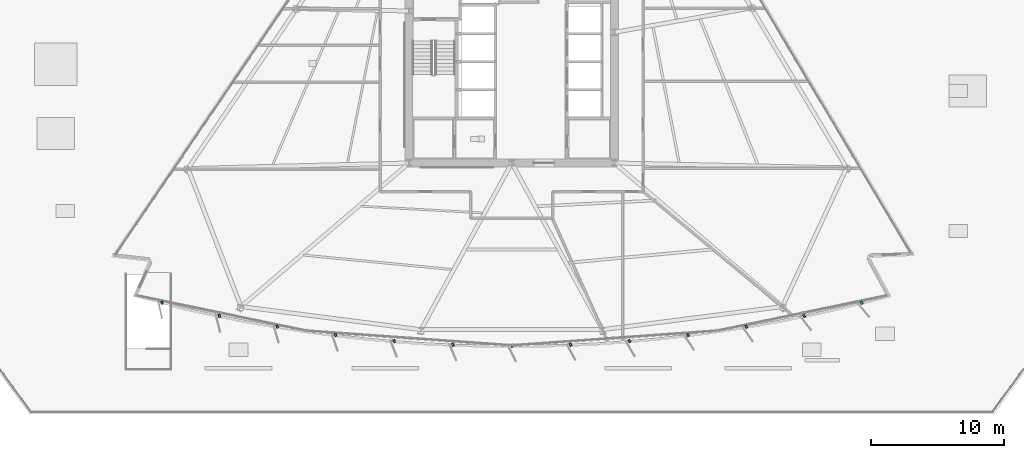
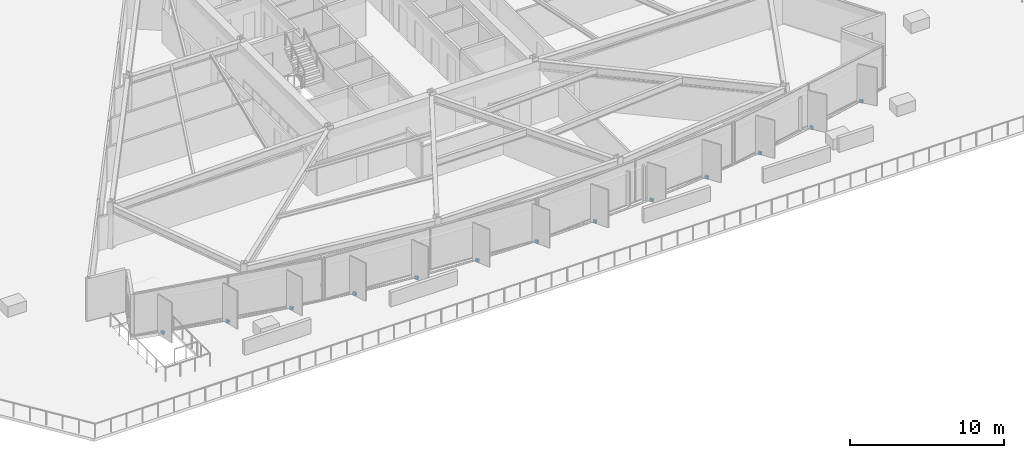
# One storey, part 12 of 19: 13 discrete accessories.
"""IFC4 building model written with IfcOpenShell, lengths in metres."""

from ifc_helpers import new_model, si_unit, direction, frame, origin, origin_2d, place, context, subcontext, project, spatial, rectangle, extrude, material, type_object, element, save


model = new_model("IFC4")

# Units and contexts
model_context = context("Model", 3, precision=1e-05, world=origin(), true_north=direction((0.0, 1.0)))
body_context = subcontext(model_context, "Body", "Model", "MODEL_VIEW")
ifc_project = project(units=[si_unit("LENGTHUNIT", "METRE"), si_unit("AREAUNIT", "SQUARE_METRE"), si_unit("VOLUMEUNIT", "CUBIC_METRE"), si_unit("PLANEANGLEUNIT", "RADIAN"), si_unit("MASSUNIT", "GRAM", prefix="KILO")], contexts=[model_context])

# Site, building, storey
site_placement = place(None, origin())
site = spatial("IfcSite", under=ifc_project, at=site_placement, CompositionType="ELEMENT")
building_placement = place(site_placement, origin())
building = spatial("IfcBuilding", under=site, at=building_placement, Name="Savorim Split Tower", CompositionType="ELEMENT")
storey_placement = place(building_placement, frame((0.0, 0.0, 26.39990234375)))
storey = spatial("IfcBuildingStorey", under=building, at=storey_placement, Name="L06", CompositionType="ELEMENT", Elevation=26.39990234375)

# Discrete accessories
ifc_material = material(Name="Steel S355", Category="steel")
discrete_accessory_type = type_object("IfcDiscreteAccessoryType", Name="ACC-BRK-FIN", PredefinedType="BRACKET", material=ifc_material)
for number, where, z_axis, x_axis, name in (
    (1, (-26.241943359375, -19.881591796875, -0.18994140625), (0.0, 0.0, 1.0), (0.206721626106, -0.978399800337, 0.0), "L06 Fin Slab-Edge Cleat Bracket 01"),
    (2, (-21.935791015625, -20.86767578125, -0.18994140625), (0.0, 0.0, 1.0), (0.246581250663, -0.969122121727, 0.0), "L06 Fin Slab-Edge Cleat Bracket 02"),
    (3, (-17.593017578125, -21.6767578125, -0.18994140625), (0.0, 0.0, 1.0), (0.286026212504, -0.958221793616, 0.0), "L06 Fin Slab-Edge Cleat Bracket 03"),
    (4, (-13.220458984375, -22.307373046875, -0.18994140625), (0.0, 0.0, 1.0), (0.324993810493, -0.945716143005, 0.0), "L06 Fin Slab-Edge Cleat Bracket 04"),
    (5, (-8.825927734375, -22.758544921875, -0.18994140625), (0.0, 0.0, 1.0), (0.363415461732, -0.931627179817, 0.0), "L06 Fin Slab-Edge Cleat Bracket 05"),
    (6, (-4.416748046875, -23.029541015625, -0.18994140625), (0.0, 0.0, 1.0), (0.401230091723, -0.915977299662, 0.0), "L06 Fin Slab-Edge Cleat Bracket 06"),
    (7, (0.0, -23.1201171875, -0.18994140625), (0.0, 0.0, 1.0), (0.438371146789, -0.898794046299, 0.0), "L06 Fin Slab-Edge Cleat Bracket 07"),
    (8, (4.416748046875, -23.029541015625, -0.18994140625), (0.0, 0.0, 1.0), (0.474778051978, -0.880105562623, 0.0), "L06 Fin Slab-Edge Cleat Bracket 08"),
    (9, (8.825927734375, -22.758544921875, -0.18994140625), (0.0, 0.0, 1.0), (0.510391336723, -0.859942255851, 0.0), "L06 Fin Slab-Edge Cleat Bracket 09"),
    (10, (13.220458984375, -22.307373046875, -0.18994140625), (0.0, 0.0, 1.0), (0.545148321708, -0.838339613366, 0.0), "L06 Fin Slab-Edge Cleat Bracket 10"),
    (11, (17.593017578125, -21.6767578125, -0.18994140625), (0.0, 0.0, 1.0), (0.578993757737, -0.815331974414, 0.0), "L06 Fin Slab-Edge Cleat Bracket 11"),
    (12, (21.935791015625, -20.86767578125, -0.18994140625), (0.0, 0.0, 1.0), (0.611868076908, -0.790959832394, 0.0), "L06 Fin Slab-Edge Cleat Bracket 12"),
    (13, (26.241943359375, -19.881591796875, -0.18994140625), (0.0, 0.0, 1.0), (0.643719022682, -0.765261928909, 0.0), "L06 Fin Slab-Edge Cleat Bracket 13"),
):
    element("IfcDiscreteAccessory", number, at=place(storey_placement, frame(where, z_axis=z_axis, x_axis=x_axis)), inside=storey, type_object=discrete_accessory_type, Name=name, PredefinedType="BRACKET", context=body_context, shape_type="SweptSolid", body=[
        extrude(rectangle(XDim=0.239990234375, YDim=0.159912109375, at=origin_2d()), origin(), (0.0, 0.0, 1.0), 0.219970703125),
    ])

save(model, "model.ifc")
